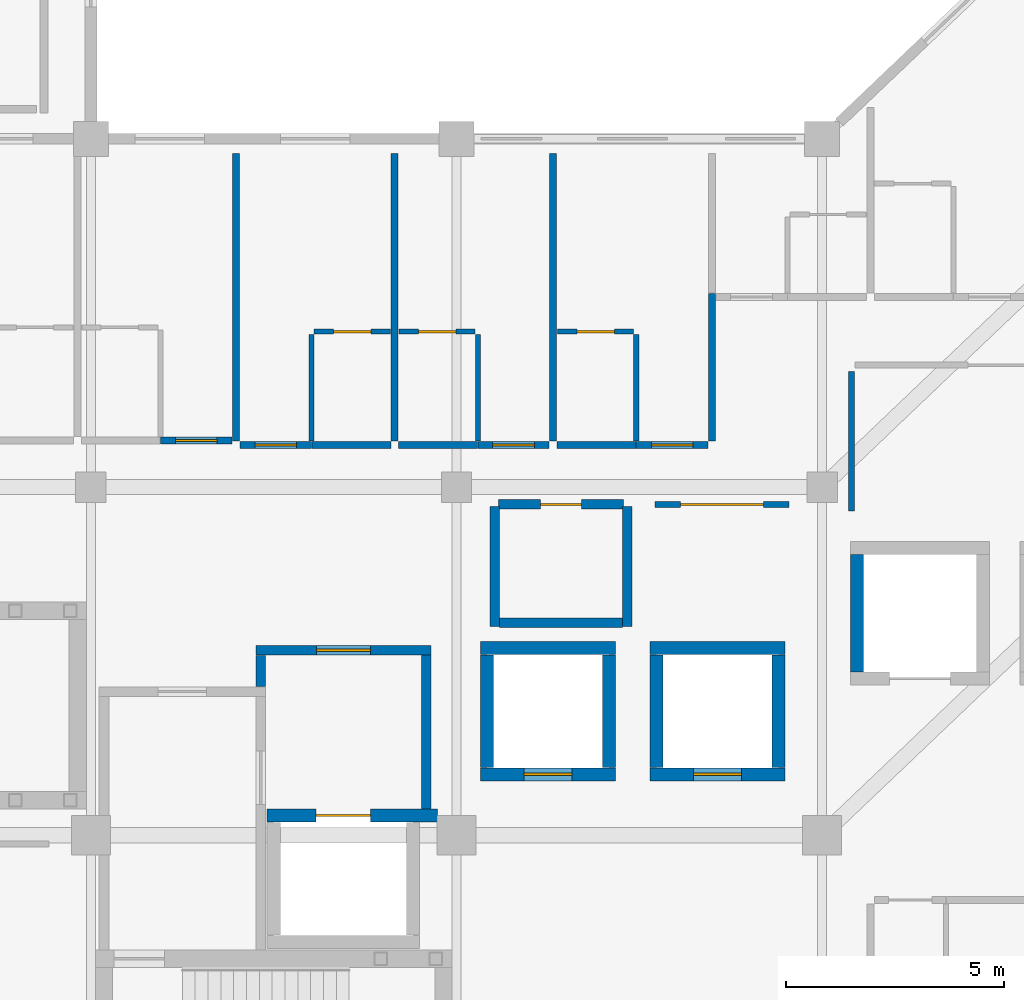
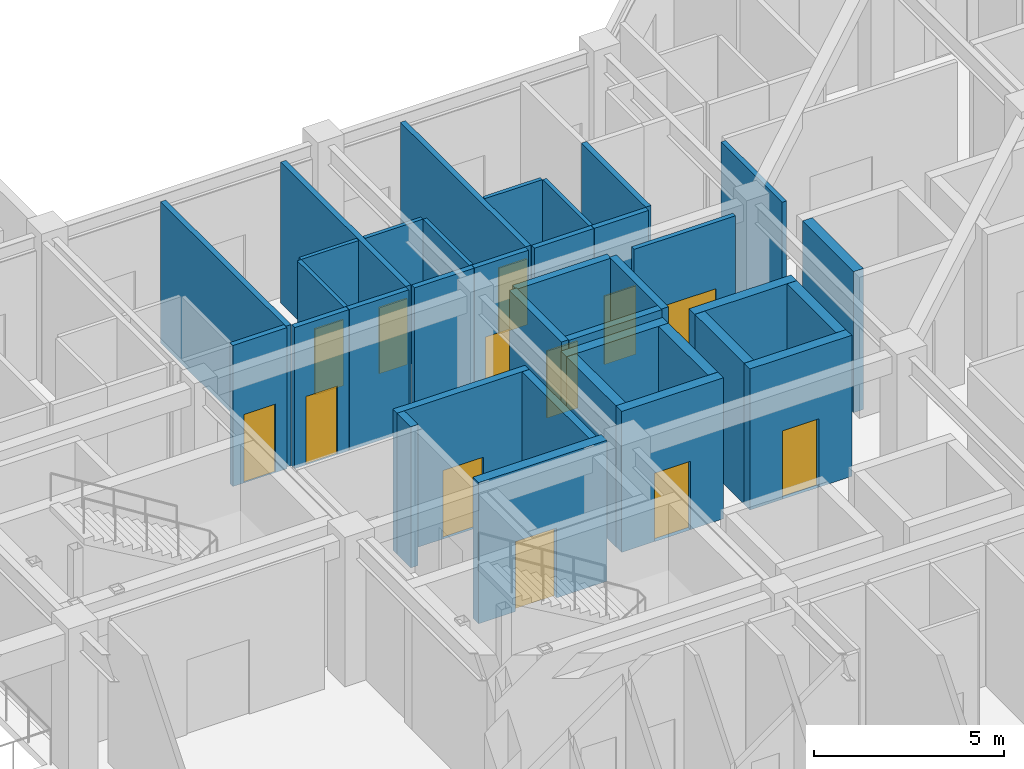
# One storey, part 60 of 76: 36 walls, 13 doors, 13 openings.
"""IFC4 building model written with IfcOpenShell, lengths in metres."""

from ifc_helpers import new_model, si_unit, direction, frame, frame_2d, origin, place, context, subcontext, project, spatial, rectangle, extrude, material, layer, layer_set, type_object, element, fill, save


model = new_model("IFC4")

# Units and contexts
model_context = context("Model", 3, precision=1e-05, world=origin(), true_north=direction((0.0, 1.0)))
body_context = subcontext(model_context, "Body", "Model", "MODEL_VIEW")
ifc_project = project(units=[si_unit("LENGTHUNIT", "METRE"), si_unit("AREAUNIT", "SQUARE_METRE"), si_unit("VOLUMEUNIT", "CUBIC_METRE"), si_unit("PLANEANGLEUNIT", "RADIAN"), si_unit("MASSUNIT", "GRAM", prefix="KILO")], contexts=[model_context])

# Site, building, storey
site_placement = place(None, origin())
site = spatial("IfcSite", under=ifc_project, at=site_placement, CompositionType="ELEMENT")
building_placement = place(site_placement, origin())
building = spatial("IfcBuilding", under=site, at=building_placement, Name="Naruveol Harbour Congress Hotel", CompositionType="ELEMENT")
storey_placement = place(building_placement, frame((0.0, 0.0, 11.39990234375)))
storey = spatial("IfcBuildingStorey", under=building, at=storey_placement, Name="L02", CompositionType="ELEMENT", Elevation=11.39990234375)

# Wall, opening, door
ifc_material_1 = material(Name="Acoustic Double Stud Gypsum", Category="gypsum")
ifc_layer_1 = layer(ifc_material_1, 0.139892578125)
ifc_layer_set_1 = layer_set([ifc_layer_1], Name="Acoustic Double Stud Gypsum")
wall_type_1 = type_object("IfcWallType", Name="ACOUSTIC MEETING PARTITION WALL 140", PredefinedType="PARTITIONING", material=ifc_layer_set_1)
wall_1_placement = place(storey_placement, frame((138.9599609375, 23.60009765625, 0.0), z_axis=(0.0, 0.0, 1.0), x_axis=(1.0, 0.0, 0.0)))
wall_1 = element("IfcWall", 1, at=wall_1_placement, inside=storey, type_object=wall_type_1, Name="Garden Terrace Lounge north entry wall PW-140", PredefinedType="PARTITIONING", context=body_context, shape_type="SweptSolid", body=[
    extrude(rectangle(XDim=3.080078125, YDim=0.139892578125, at=frame_2d((1.5400390625, 0.0))), origin(), (0.0, 0.0, 1.0), 4.53515625),
])
opening_1_placement = place(wall_1_placement, frame((0.590087890625, 0.0, 0.0)))
opening_1 = element("IfcOpeningElement", 2, at=opening_1_placement, cuts=wall_1, Name="Opening ID-LG-77", PredefinedType="OPENING", context=body_context, shape_type="SweptSolid", body=[
    extrude(rectangle(XDim=1.89990234375, YDim=2.39990234375, at=frame_2d((0.949951171875, 1.199951171875))), frame((0.0, 0.079833984375, 0.0), z_axis=(0.0, -1.0, 0.0), x_axis=(1.0, 0.0, 0.0)), (0.0, 0.0, 1.0), 0.159912109375),
])
ifc_material_2 = material(Name="Timber & Steel Acoustic Leaf", Category="steel")
door_type_1 = type_object("IfcDoorType", Name="RESTAURANT AND LOUNGE GLAZED DOOR 1900X2400", OperationType="DOUBLE_DOOR_SINGLE_SWING", PredefinedType="DOOR", material=ifc_material_2)
door_1_placement = place(opening_1_placement, origin())
door_1 = element("IfcDoor", 3, at=door_1_placement, inside=storey, type_object=door_type_1, Name="Garden Terrace Lounge Entrance Door", OperationType="DOUBLE_DOOR_SINGLE_SWING", OverallHeight=2.39990234375, OverallWidth=1.89990234375, PredefinedType="DOOR", context=body_context, shape_type="SweptSolid", body=[
    extrude(rectangle(XDim=1.89990234375, YDim=2.39990234375, at=frame_2d((0.949951171875, 1.199951171875))), frame((0.0, 0.02490234375, 0.0), z_axis=(0.0, -1.0, 0.0), x_axis=(1.0, 0.0, 0.0)), (0.0, 0.0, 1.0), 0.050048828125),
])
fill(opening_1, door_1)

# Walls
wall_2_placement = place(storey_placement, frame((143.47998046875, 23.449951171875, 0.0), z_axis=(0.0, 0.0, 1.0), x_axis=(0.0, 1.0, 0.0)))
element("IfcWall", 4, at=wall_2_placement, inside=storey, type_object=wall_type_1, Name="Harbour Study Salon west partition PW-140", PredefinedType="PARTITIONING", context=body_context, shape_type="SweptSolid", body=[
    extrude(rectangle(XDim=3.2099609375, YDim=0.139892578125, at=frame_2d((1.60498046875, 0.0))), origin(), (0.0, 0.0, 1.0), 4.53515625),
])
ifc_material_3 = material(Name="Moisture-Resistant Gypsum Partition", Category="gypsum")
ifc_layer_2 = layer(ifc_material_3, 0.114990234375)
ifc_layer_set_2 = layer_set([ifc_layer_2], Name="Moisture-Resistant Gypsum Partition")
wall_type_2 = type_object("IfcWallType", Name="BATHROOM MOISTURE PARTITION WALL 115", PredefinedType="PARTITIONING", material=ifc_layer_set_2)
wall_3_placement = place(storey_placement, frame((131.070068359375, 25.06005859375, 0.0), z_axis=(0.0, 0.0, 1.0), x_axis=(0.0, 1.0, 0.0)))
element("IfcWall", 5, at=wall_3_placement, inside=storey, type_object=wall_type_2, Name="Bathroom west wall 0322 PW-115", PredefinedType="PARTITIONING", context=body_context, shape_type="SweptSolid", body=[
    extrude(rectangle(XDim=2.449951171875, YDim=0.114990234375, at=frame_2d((1.22509765625, 0.0))), origin(), (0.0, 0.0, 1.0), 4.53515625),
])

# Wall, opening, door
wall_4_placement = place(storey_placement, frame((131.1298828125, 27.570068359375, 0.0), z_axis=(0.0, 0.0, 1.0), x_axis=(1.0, 0.0, 0.0)))
wall_4 = element("IfcWall", 6, at=wall_4_placement, inside=storey, type_object=wall_type_2, Name="Bathroom north wall 0322 PW-115", PredefinedType="PARTITIONING", context=body_context, shape_type="SweptSolid", body=[
    extrude(rectangle(XDim=1.75, YDim=0.114990234375, at=frame_2d((0.875, 0.0))), origin(), (0.0, 0.0, 1.0), 4.53515625),
])
opening_2_placement = place(wall_4_placement, frame((0.445068359375, 0.0, 0.0)))
opening_2 = element("IfcOpeningElement", 7, at=opening_2_placement, cuts=wall_4, Name="Opening BD-RM0322", PredefinedType="OPENING", context=body_context, shape_type="SweptSolid", body=[
    extrude(rectangle(XDim=0.860107421875, YDim=2.1201171875, at=frame_2d((0.43017578125, 1.06005859375))), frame((0.0, 0.0673828125, 0.0), z_axis=(0.0, -1.0, 0.0), x_axis=(1.0, 0.0, 0.0)), (0.0, 0.0, 1.0), 0.135009765625),
])
ifc_material_4 = material(Name="Timber & Steel Acoustic Leaf", Category="steel")
door_type_2 = type_object("IfcDoorType", Name="GUEST BATHROOM DOOR 860X2120", OperationType="NOTDEFINED", PredefinedType="DOOR", material=ifc_material_4)
door_2_placement = place(opening_2_placement, origin())
door_2 = element("IfcDoor", 8, at=door_2_placement, inside=storey, type_object=door_type_2, Name="Bathroom Door 0322", OperationType="SINGLE_SWING_RIGHT", OverallHeight=2.1201171875, OverallWidth=0.860107421875, PredefinedType="DOOR", context=body_context, shape_type="SweptSolid", body=[
    extrude(rectangle(XDim=0.860107421875, YDim=2.1201171875, at=frame_2d((0.43017578125, 1.06005859375))), frame((0.0, 0.02490234375, 0.0), z_axis=(0.0, -1.0, 0.0), x_axis=(1.0, 0.0, 0.0)), (0.0, 0.0, 1.0), 0.050048828125),
])
fill(opening_2, door_2)

# Wall
wall_5_placement = place(storey_placement, frame((134.889892578125, 25.06005859375, 0.0), z_axis=(0.0, 0.0, 1.0), x_axis=(0.0, 1.0, 0.0)))
element("IfcWall", 9, at=wall_5_placement, inside=storey, type_object=wall_type_2, Name="Bathroom east wall 0323 PW-115", PredefinedType="PARTITIONING", context=body_context, shape_type="SweptSolid", body=[
    extrude(rectangle(XDim=2.449951171875, YDim=0.114990234375, at=frame_2d((1.22509765625, 0.0))), origin(), (0.0, 0.0, 1.0), 4.53515625),
])

# Wall, opening, door
wall_6_placement = place(storey_placement, frame((133.080078125, 27.570068359375, 0.0), z_axis=(0.0, 0.0, 1.0), x_axis=(1.0, 0.0, 0.0)))
wall_6 = element("IfcWall", 10, at=wall_6_placement, inside=storey, type_object=wall_type_2, Name="Bathroom north wall 0323 PW-115", PredefinedType="PARTITIONING", context=body_context, shape_type="SweptSolid", body=[
    extrude(rectangle(XDim=1.75, YDim=0.114990234375, at=frame_2d((0.875, 0.0))), origin(), (0.0, 0.0, 1.0), 4.53515625),
])
opening_3_placement = place(wall_6_placement, frame((0.445068359375, 0.0, 0.0)))
opening_3 = element("IfcOpeningElement", 11, at=opening_3_placement, cuts=wall_6, Name="Opening BD-RM0323", PredefinedType="OPENING", context=body_context, shape_type="SweptSolid", body=[
    extrude(rectangle(XDim=0.860107421875, YDim=2.1201171875, at=frame_2d((0.43017578125, 1.06005859375))), frame((0.0, 0.0673828125, 0.0), z_axis=(0.0, -1.0, 0.0), x_axis=(1.0, 0.0, 0.0)), (0.0, 0.0, 1.0), 0.135009765625),
])
door_3_placement = place(opening_3_placement, origin())
door_3 = element("IfcDoor", 12, at=door_3_placement, inside=storey, type_object=door_type_2, Name="Bathroom Door 0323", OperationType="SINGLE_SWING_RIGHT", OverallHeight=2.1201171875, OverallWidth=0.860107421875, PredefinedType="DOOR", context=body_context, shape_type="SweptSolid", body=[
    extrude(rectangle(XDim=0.860107421875, YDim=2.1201171875, at=frame_2d((0.43017578125, 1.06005859375))), frame((0.0, 0.02490234375, 0.0), z_axis=(0.0, -1.0, 0.0), x_axis=(1.0, 0.0, 0.0)), (0.0, 0.0, 1.0), 0.050048828125),
])
fill(opening_3, door_3)

# Wall
wall_7_placement = place(storey_placement, frame((138.530029296875, 25.06005859375, 0.0), z_axis=(0.0, 0.0, 1.0), x_axis=(0.0, 1.0, 0.0)))
element("IfcWall", 13, at=wall_7_placement, inside=storey, type_object=wall_type_2, Name="Bathroom east wall 0324 PW-115", PredefinedType="PARTITIONING", context=body_context, shape_type="SweptSolid", body=[
    extrude(rectangle(XDim=2.449951171875, YDim=0.114990234375, at=frame_2d((1.22509765625, 0.0))), origin(), (0.0, 0.0, 1.0), 4.53515625),
])

# Wall, opening, door
wall_8_placement = place(storey_placement, frame((136.719970703125, 27.570068359375, 0.0), z_axis=(0.0, 0.0, 1.0), x_axis=(1.0, 0.0, 0.0)))
wall_8 = element("IfcWall", 14, at=wall_8_placement, inside=storey, type_object=wall_type_2, Name="Bathroom north wall 0324 PW-115", PredefinedType="PARTITIONING", context=body_context, shape_type="SweptSolid", body=[
    extrude(rectangle(XDim=1.75, YDim=0.114990234375, at=frame_2d((0.875, 0.0))), origin(), (0.0, 0.0, 1.0), 4.53515625),
])
opening_4_placement = place(wall_8_placement, frame((0.445068359375, 0.0, 0.0)))
opening_4 = element("IfcOpeningElement", 15, at=opening_4_placement, cuts=wall_8, Name="Opening BD-RM0324", PredefinedType="OPENING", context=body_context, shape_type="SweptSolid", body=[
    extrude(rectangle(XDim=0.860107421875, YDim=2.1201171875, at=frame_2d((0.43017578125, 1.06005859375))), frame((0.0, 0.0673828125, 0.0), z_axis=(0.0, -1.0, 0.0), x_axis=(1.0, 0.0, 0.0)), (0.0, 0.0, 1.0), 0.135009765625),
])
door_4_placement = place(opening_4_placement, origin())
door_4 = element("IfcDoor", 16, at=door_4_placement, inside=storey, type_object=door_type_2, Name="Bathroom Door 0324", OperationType="SINGLE_SWING_RIGHT", OverallHeight=2.1201171875, OverallWidth=0.860107421875, PredefinedType="DOOR", context=body_context, shape_type="SweptSolid", body=[
    extrude(rectangle(XDim=0.860107421875, YDim=2.1201171875, at=frame_2d((0.43017578125, 1.06005859375))), frame((0.0, 0.02490234375, 0.0), z_axis=(0.0, -1.0, 0.0), x_axis=(1.0, 0.0, 0.0)), (0.0, 0.0, 1.0), 0.050048828125),
])
fill(opening_4, door_4)

# Walls
ifc_material_5 = material(Name="Concrete C40/50", Category="concrete")
ifc_layer_3 = layer(ifc_material_5, 0.219970703125)
ifc_layer_set_3 = layer_set([ifc_layer_3], Name="Concrete C40/50")
wall_type_3 = type_object("IfcWallType", Name="FIRE COMPARTMENT AND LOBBY WALL 220 EI120", PredefinedType="PARTITIONING", material=ifc_layer_set_3)
wall_9_placement = place(storey_placement, frame((129.89990234375, 19.4150390625, 0.0), z_axis=(0.0, 0.0, 1.0), x_axis=(0.0, 1.0, 0.0)))
element("IfcWall", 17, at=wall_9_placement, inside=storey, type_object=wall_type_3, Name="Firefighting lift lobby ST1 upper west wall FW-220", PredefinedType="PARTITIONING", context=body_context, shape_type="SweptSolid", body=[
    extrude(rectangle(XDim=0.719970703125, YDim=0.219970703125, at=frame_2d((0.35986328125, 0.0))), origin(), (0.0, 0.0, 1.0), 4.53515625),
])
wall_10_placement = place(storey_placement, frame((133.699951171875, 16.60498046875, 0.0), z_axis=(0.0, 0.0, 1.0), x_axis=(0.0, 1.0, 0.0)))
element("IfcWall", 18, at=wall_10_placement, inside=storey, type_object=wall_type_3, Name="Firefighting lift lobby ST1 east wall FW-220", PredefinedType="PARTITIONING", context=body_context, shape_type="SweptSolid", body=[
    extrude(rectangle(XDim=3.530029296875, YDim=0.219970703125, at=frame_2d((1.76513671875, 0.0))), origin(), (0.0, 0.0, 1.0), 4.53515625),
])

# Wall, opening, door
wall_11_placement = place(storey_placement, frame((129.7900390625, 20.25, 0.0), z_axis=(0.0, 0.0, 1.0), x_axis=(1.0, 0.0, 0.0)))
wall_11 = element("IfcWall", 19, at=wall_11_placement, inside=storey, type_object=wall_type_3, Name="Firefighting lift lobby ST1 north wall FW-220", PredefinedType="PARTITIONING", context=body_context, shape_type="SweptSolid", body=[
    extrude(rectangle(XDim=4.02001953125, YDim=0.219970703125, at=frame_2d((2.010009765625, 0.0))), origin(), (0.0, 0.0, 1.0), 4.53515625),
])
opening_5_placement = place(wall_11_placement, frame((1.389892578125, 0.0, 0.0)))
opening_5 = element("IfcOpeningElement", 20, at=opening_5_placement, cuts=wall_11, Name="Opening FD-FFC-ST1-L02", PredefinedType="OPENING", context=body_context, shape_type="SweptSolid", body=[
    extrude(rectangle(XDim=1.239990234375, YDim=2.199951171875, at=frame_2d((0.6201171875, 1.10009765625))), frame((0.0, 0.119873046875, 0.0), z_axis=(0.0, -1.0, 0.0), x_axis=(1.0, 0.0, 0.0)), (0.0, 0.0, 1.0), 0.239990234375),
])
ifc_material_6 = material(Name="Timber & Steel Acoustic Leaf", Category="steel")
door_type_3 = type_object("IfcDoorType", Name="FIREFIGHTING LOBBY FIRE DOOR 1240X2200", OperationType="NOTDEFINED", PredefinedType="DOOR", material=ifc_material_6)
door_5_placement = place(opening_5_placement, origin())
door_5 = element("IfcDoor", 21, at=door_5_placement, inside=storey, type_object=door_type_3, Name="Firefighting Lobby Corridor Door ST1 L02", OperationType="SINGLE_SWING_LEFT", OverallHeight=2.199951171875, OverallWidth=1.239990234375, PredefinedType="DOOR", context=body_context, shape_type="SweptSolid", body=[
    extrude(rectangle(XDim=1.239990234375, YDim=2.199951171875, at=frame_2d((0.6201171875, 1.10009765625))), frame((0.0, 0.02490234375, 0.0), z_axis=(0.0, -1.0, 0.0), x_axis=(1.0, 0.0, 0.0)), (0.0, 0.0, 1.0), 0.050048828125),
])
fill(opening_5, door_5)

wall_12_placement = place(storey_placement, frame((135.360107421875, 23.60009765625, 0.0), z_axis=(0.0, 0.0, 1.0), x_axis=(1.0, 0.0, 0.0)))
wall_12 = element("IfcWall", 22, at=wall_12_placement, inside=storey, type_object=wall_type_3, Name="Housekeeping Pantry north entry wall FW-220", PredefinedType="PARTITIONING", context=body_context, shape_type="SweptSolid", body=[
    extrude(rectangle(XDim=2.8798828125, YDim=0.219970703125, at=frame_2d((1.43994140625, 0.0))), origin(), (0.0, 0.0, 1.0), 4.53515625),
])
opening_6_placement = place(wall_12_placement, frame((0.969970703125, 0.0, 0.0)))
opening_6 = element("IfcOpeningElement", 23, at=opening_6_placement, cuts=wall_12, Name="Opening FD-ST-79", PredefinedType="OPENING", context=body_context, shape_type="SweptSolid", body=[
    extrude(rectangle(XDim=0.93994140625, YDim=2.14990234375, at=frame_2d((0.469970703125, 1.074951171875))), frame((0.0, 0.119873046875, 0.0), z_axis=(0.0, -1.0, 0.0), x_axis=(1.0, 0.0, 0.0)), (0.0, 0.0, 1.0), 0.239990234375),
])
ifc_material_7 = material(Name="Timber & Steel Acoustic Leaf", Category="steel")
door_type_4 = type_object("IfcDoorType", Name="HOUSEKEEPING AND STORE FIRE DOOR 940X2150", OperationType="NOTDEFINED", PredefinedType="DOOR", material=ifc_material_7)
door_6_placement = place(opening_6_placement, origin())
door_6 = element("IfcDoor", 24, at=door_6_placement, inside=storey, type_object=door_type_4, Name="Housekeeping Pantry Fire Door", OperationType="SINGLE_SWING_RIGHT", OverallHeight=2.14990234375, OverallWidth=0.93994140625, PredefinedType="DOOR", context=body_context, shape_type="SweptSolid", body=[
    extrude(rectangle(XDim=0.93994140625, YDim=2.14990234375, at=frame_2d((0.469970703125, 1.074951171875))), frame((0.0, 0.02490234375, 0.0), z_axis=(0.0, -1.0, 0.0), x_axis=(1.0, 0.0, 0.0)), (0.0, 0.0, 1.0), 0.050048828125),
])
fill(opening_6, door_6)

# Walls
for number, where, z_axis, x_axis, name in (
    (25, (135.280029296875, 20.800048828125, 0.0), (0.0, 0.0, 1.0), (0.0, 1.0, 0.0), "Housekeeping Pantry west enclosure partition FW-220"),
    (26, (138.320068359375, 20.800048828125, 0.0), (0.0, 0.0, 1.0), (0.0, 1.0, 0.0), "Housekeeping Pantry east enclosure partition FW-220"),
):
    element("IfcWall", number, at=place(storey_placement, frame(where, z_axis=z_axis, x_axis=x_axis)), inside=storey, type_object=wall_type_3, Name=name, PredefinedType="PARTITIONING", context=body_context, shape_type="SweptSolid", body=[
        extrude(rectangle(XDim=2.748046875, YDim=0.219970703125, at=frame_2d((1.3740234375, 0.0))), origin(), (0.0, 0.0, 1.0), 4.53515625),
    ])
wall_13_placement = place(storey_placement, frame((135.389892578125, 20.8798828125, 0.0), z_axis=(0.0, 0.0, 1.0), x_axis=(1.0, 0.0, 0.0)))
element("IfcWall", 27, at=wall_13_placement, inside=storey, type_object=wall_type_3, Name="Housekeeping Pantry south enclosure partition FW-220", PredefinedType="PARTITIONING", context=body_context, shape_type="SweptSolid", body=[
    extrude(rectangle(XDim=2.820068359375, YDim=0.219970703125, at=frame_2d((1.41015625, 0.0))), origin(), (0.0, 0.0, 1.0), 4.53515625),
])

# Wall, opening, door
ifc_material_8 = material(Name="Autoclaved Aerated Concrete Block", Category="concrete")
ifc_layer_4 = layer(ifc_material_8, 0.159912109375)
ifc_layer_set_4 = layer_set([ifc_layer_4], Name="Autoclaved Aerated Concrete Block")
wall_type_4 = type_object("IfcWallType", Name="HOTEL PARTY AND CORRIDOR WALL 160 EI60", PredefinedType="PARTITIONING", material=ifc_layer_set_4)
wall_14_placement = place(storey_placement, frame((127.60009765625, 25.070068359375, 0.0), z_axis=(0.0, 0.0, 1.0), x_axis=(1.0, 0.0, 0.0)))
wall_14 = element("IfcWall", 28, at=wall_14_placement, inside=storey, type_object=wall_type_4, Name="Corridor entry wall 0321 PW-160", PredefinedType="PARTITIONING", context=body_context, shape_type="SweptSolid", body=[
    extrude(rectangle(XDim=1.639892578125, YDim=0.159912109375, at=frame_2d((0.81982421875, 0.0))), origin(), (0.0, 0.0, 1.0), 4.53515625),
])
opening_7_placement = place(wall_14_placement, frame((0.340087890625, 0.0, 0.0)))
opening_7 = element("IfcOpeningElement", 29, at=opening_7_placement, cuts=wall_14, Name="Opening FD-RM0321", PredefinedType="OPENING", context=body_context, shape_type="SweptSolid", body=[
    extrude(rectangle(XDim=0.9599609375, YDim=2.199951171875, at=frame_2d((0.47998046875, 1.10009765625))), frame((0.0, 0.08984375, 0.0), z_axis=(0.0, -1.0, 0.0), x_axis=(1.0, 0.0, 0.0)), (0.0, 0.0, 1.0), 0.179931640625),
])
ifc_material_9 = material(Name="Timber & Steel Acoustic Leaf", Category="steel")
door_type_5 = type_object("IfcDoorType", Name="GUEST ROOM ENTRANCE FIRE DOOR 960X2200", OperationType="NOTDEFINED", PredefinedType="DOOR", material=ifc_material_9)
door_7_placement = place(opening_7_placement, origin())
door_7 = element("IfcDoor", 30, at=door_7_placement, inside=storey, type_object=door_type_5, Name="Hotel Room Door 0321", OperationType="SINGLE_SWING_LEFT", OverallHeight=2.199951171875, OverallWidth=0.9599609375, PredefinedType="DOOR", context=body_context, shape_type="SweptSolid", body=[
    extrude(rectangle(XDim=0.9599609375, YDim=2.199951171875, at=frame_2d((0.47998046875, 1.10009765625))), frame((0.0, 0.02490234375, 0.0), z_axis=(0.0, -1.0, 0.0), x_axis=(1.0, 0.0, 0.0)), (0.0, 0.0, 1.0), 0.050048828125),
])
fill(opening_7, door_7)

wall_15_placement = place(storey_placement, frame((129.419921875, 24.969970703125, 0.0), z_axis=(0.0, 0.0, 1.0), x_axis=(1.0, 0.0, 0.0)))
wall_15 = element("IfcWall", 31, at=wall_15_placement, inside=storey, type_object=wall_type_4, Name="Corridor entry wall 0322 PW-160", PredefinedType="PARTITIONING", context=body_context, shape_type="SweptSolid", body=[
    extrude(rectangle(XDim=1.650146484375, YDim=0.159912109375, at=frame_2d((0.8251953125, 0.0))), origin(), (0.0, 0.0, 1.0), 4.53515625),
])
opening_8_placement = place(wall_15_placement, frame((0.344970703125, 0.0, 0.0)))
opening_8 = element("IfcOpeningElement", 32, at=opening_8_placement, cuts=wall_15, Name="Opening FD-RM0322", PredefinedType="OPENING", context=body_context, shape_type="SweptSolid", body=[
    extrude(rectangle(XDim=0.9599609375, YDim=2.199951171875, at=frame_2d((0.47998046875, 1.10009765625))), frame((0.0, 0.08984375, 0.0), z_axis=(0.0, -1.0, 0.0), x_axis=(1.0, 0.0, 0.0)), (0.0, 0.0, 1.0), 0.179931640625),
])
door_8_placement = place(opening_8_placement, origin())
door_8 = element("IfcDoor", 33, at=door_8_placement, inside=storey, type_object=door_type_5, Name="Hotel Room Door 0322", OperationType="SINGLE_SWING_LEFT", OverallHeight=2.199951171875, OverallWidth=0.9599609375, PredefinedType="DOOR", context=body_context, shape_type="SweptSolid", body=[
    extrude(rectangle(XDim=0.9599609375, YDim=2.199951171875, at=frame_2d((0.47998046875, 1.10009765625))), frame((0.0, 0.02490234375, 0.0), z_axis=(0.0, -1.0, 0.0), x_axis=(1.0, 0.0, 0.0)), (0.0, 0.0, 1.0), 0.050048828125),
])
fill(opening_8, door_8)

# Walls
wall_16_placement = place(storey_placement, frame((131.080078125, 24.969970703125, 0.0), z_axis=(0.0, 0.0, 1.0), x_axis=(1.0, 0.0, 0.0)))
element("IfcWall", 34, at=wall_16_placement, inside=storey, type_object=wall_type_4, Name="Corridor wall 0322B PW-160", PredefinedType="PARTITIONING", context=body_context, shape_type="SweptSolid", body=[
    extrude(rectangle(XDim=1.809814453125, YDim=0.159912109375, at=frame_2d((0.90478515625, 0.0))), origin(), (0.0, 0.0, 1.0), 4.53515625),
])
wall_17_placement = place(storey_placement, frame((129.330078125, 25.06005859375, 0.0), z_axis=(0.0, 0.0, 1.0), x_axis=(0.0, 1.0, 0.0)))
element("IfcWall", 35, at=wall_17_placement, inside=storey, type_object=wall_type_4, Name="Hotel party wall 0322 PW-160", PredefinedType="PARTITIONING", context=body_context, shape_type="SweptSolid", body=[
    extrude(rectangle(XDim=6.599853515625, YDim=0.159912109375, at=frame_2d((3.2998046875, 0.0))), origin(), (0.0, 0.0, 1.0), 4.53515625),
])
wall_18_placement = place(storey_placement, frame((133.070068359375, 24.969970703125, 0.0), z_axis=(0.0, 0.0, 1.0), x_axis=(1.0, 0.0, 0.0)))
element("IfcWall", 36, at=wall_18_placement, inside=storey, type_object=wall_type_4, Name="Corridor wall 0323B PW-160", PredefinedType="PARTITIONING", context=body_context, shape_type="SweptSolid", body=[
    extrude(rectangle(XDim=1.809814453125, YDim=0.159912109375, at=frame_2d((0.90478515625, 0.0))), origin(), (0.0, 0.0, 1.0), 4.53515625),
])

# Wall, opening, door
wall_19_placement = place(storey_placement, frame((134.889892578125, 24.969970703125, 0.0), z_axis=(0.0, 0.0, 1.0), x_axis=(1.0, 0.0, 0.0)))
wall_19 = element("IfcWall", 37, at=wall_19_placement, inside=storey, type_object=wall_type_4, Name="Corridor entry wall 0323 PW-160", PredefinedType="PARTITIONING", context=body_context, shape_type="SweptSolid", body=[
    extrude(rectangle(XDim=1.64013671875, YDim=0.159912109375, at=frame_2d((0.820068359375, 0.0))), origin(), (0.0, 0.0, 1.0), 4.53515625),
])
opening_9_placement = place(wall_19_placement, frame((0.340087890625, 0.0, 0.0)))
opening_9 = element("IfcOpeningElement", 38, at=opening_9_placement, cuts=wall_19, Name="Opening FD-RM0323", PredefinedType="OPENING", context=body_context, shape_type="SweptSolid", body=[
    extrude(rectangle(XDim=0.9599609375, YDim=2.199951171875, at=frame_2d((0.47998046875, 1.10009765625))), frame((0.0, 0.08984375, 0.0), z_axis=(0.0, -1.0, 0.0), x_axis=(1.0, 0.0, 0.0)), (0.0, 0.0, 1.0), 0.179931640625),
])
door_9_placement = place(opening_9_placement, origin())
door_9 = element("IfcDoor", 39, at=door_9_placement, inside=storey, type_object=door_type_5, Name="Hotel Room Door 0323", OperationType="SINGLE_SWING_LEFT", OverallHeight=2.199951171875, OverallWidth=0.9599609375, PredefinedType="DOOR", context=body_context, shape_type="SweptSolid", body=[
    extrude(rectangle(XDim=0.9599609375, YDim=2.199951171875, at=frame_2d((0.47998046875, 1.10009765625))), frame((0.0, 0.02490234375, 0.0), z_axis=(0.0, -1.0, 0.0), x_axis=(1.0, 0.0, 0.0)), (0.0, 0.0, 1.0), 0.050048828125),
])
fill(opening_9, door_9)

# Walls
wall_20_placement = place(storey_placement, frame((132.97998046875, 25.06005859375, 0.0), z_axis=(0.0, 0.0, 1.0), x_axis=(0.0, 1.0, 0.0)))
element("IfcWall", 40, at=wall_20_placement, inside=storey, type_object=wall_type_4, Name="Hotel party wall 0323 PW-160", PredefinedType="PARTITIONING", context=body_context, shape_type="SweptSolid", body=[
    extrude(rectangle(XDim=6.599853515625, YDim=0.159912109375, at=frame_2d((3.2998046875, 0.0))), origin(), (0.0, 0.0, 1.0), 4.53515625),
])
wall_21_placement = place(storey_placement, frame((136.7099609375, 24.969970703125, 0.0), z_axis=(0.0, 0.0, 1.0), x_axis=(1.0, 0.0, 0.0)))
element("IfcWall", 41, at=wall_21_placement, inside=storey, type_object=wall_type_4, Name="Corridor wall 0324B PW-160", PredefinedType="PARTITIONING", context=body_context, shape_type="SweptSolid", body=[
    extrude(rectangle(XDim=1.81005859375, YDim=0.159912109375, at=frame_2d((0.905029296875, 0.0))), origin(), (0.0, 0.0, 1.0), 4.53515625),
])

# Wall, opening, door
wall_22_placement = place(storey_placement, frame((138.530029296875, 24.969970703125, 0.0), z_axis=(0.0, 0.0, 1.0), x_axis=(1.0, 0.0, 0.0)))
wall_22 = element("IfcWall", 42, at=wall_22_placement, inside=storey, type_object=wall_type_4, Name="Corridor entry wall 0324 PW-160", PredefinedType="PARTITIONING", context=body_context, shape_type="SweptSolid", body=[
    extrude(rectangle(XDim=1.64990234375, YDim=0.159912109375, at=frame_2d((0.824951171875, 0.0))), origin(), (0.0, 0.0, 1.0), 4.53515625),
])
opening_10_placement = place(wall_22_placement, frame((0.344970703125, 0.0, 0.0)))
opening_10 = element("IfcOpeningElement", 43, at=opening_10_placement, cuts=wall_22, Name="Opening FD-RM0324", PredefinedType="OPENING", context=body_context, shape_type="SweptSolid", body=[
    extrude(rectangle(XDim=0.9599609375, YDim=2.199951171875, at=frame_2d((0.47998046875, 1.10009765625))), frame((0.0, 0.08984375, 0.0), z_axis=(0.0, -1.0, 0.0), x_axis=(1.0, 0.0, 0.0)), (0.0, 0.0, 1.0), 0.179931640625),
])
door_10_placement = place(opening_10_placement, origin())
door_10 = element("IfcDoor", 44, at=door_10_placement, inside=storey, type_object=door_type_5, Name="Hotel Room Door 0324", OperationType="SINGLE_SWING_LEFT", OverallHeight=2.199951171875, OverallWidth=0.9599609375, PredefinedType="DOOR", context=body_context, shape_type="SweptSolid", body=[
    extrude(rectangle(XDim=0.9599609375, YDim=2.199951171875, at=frame_2d((0.47998046875, 1.10009765625))), frame((0.0, 0.02490234375, 0.0), z_axis=(0.0, -1.0, 0.0), x_axis=(1.0, 0.0, 0.0)), (0.0, 0.0, 1.0), 0.050048828125),
])
fill(opening_10, door_10)

# Walls
wall_23_placement = place(storey_placement, frame((136.6201171875, 25.06005859375, 0.0), z_axis=(0.0, 0.0, 1.0), x_axis=(0.0, 1.0, 0.0)))
element("IfcWall", 45, at=wall_23_placement, inside=storey, type_object=wall_type_4, Name="Hotel party wall 0324 PW-160", PredefinedType="PARTITIONING", context=body_context, shape_type="SweptSolid", body=[
    extrude(rectangle(XDim=6.599853515625, YDim=0.159912109375, at=frame_2d((3.2998046875, 0.0))), origin(), (0.0, 0.0, 1.0), 4.53515625),
])
wall_24_placement = place(storey_placement, frame((140.27001953125, 25.06005859375, 0.0), z_axis=(0.0, 0.0, 1.0), x_axis=(0.0, 1.0, 0.0)))
element("IfcWall", 46, at=wall_24_placement, inside=storey, type_object=wall_type_4, Name="Hotel end party wall 0324 PW-160", PredefinedType="PARTITIONING", context=body_context, shape_type="SweptSolid", body=[
    extrude(rectangle(XDim=3.389892578125, YDim=0.159912109375, at=frame_2d((1.69482421875, 0.0))), origin(), (0.0, 0.0, 1.0), 4.53515625),
])

# Wall, opening, door
ifc_material_10 = material(Name="Concrete C50/60", Category="concrete")
ifc_layer_5 = layer(ifc_material_10, 0.300048828125)
ifc_layer_set_5 = layer_set([ifc_layer_5], Name="Concrete C50/60")
wall_type_5 = type_object("IfcWallType", Name="RC STAIR AND HOISTWAY SHEAR WALL 300 EI120", PredefinedType="SHEAR", material=ifc_layer_set_5)
wall_25_placement = place(storey_placement, frame((134.949951171875, 17.39990234375, 0.0), z_axis=(0.0, 0.0, 1.0), x_axis=(1.0, 0.0, 0.0)))
wall_25 = element("IfcWall", 47, at=wall_25_placement, inside=storey, type_object=wall_type_5, Name="Hoistway south shear wall PL1 SW-300", PredefinedType="SHEAR", context=body_context, shape_type="SweptSolid", body=[
    extrude(rectangle(XDim=3.10009765625, YDim=0.300048828125, at=frame_2d((1.550048828125, 0.0))), origin(), (0.0, 0.0, 1.0), 4.53515625),
])
opening_11_placement = place(wall_25_placement, frame((1.0, 0.0, 0.0)))
opening_11 = element("IfcOpeningElement", 48, at=opening_11_placement, cuts=wall_25, Name="Opening LD-PL1-L02", PredefinedType="OPENING", context=body_context, shape_type="SweptSolid", body=[
    extrude(rectangle(XDim=1.10009765625, YDim=2.199951171875, at=frame_2d((0.550048828125, 1.10009765625))), frame((0.0, 0.159912109375, 0.0), z_axis=(0.0, -1.0, 0.0), x_axis=(1.0, 0.0, 0.0)), (0.0, 0.0, 1.0), 0.320068359375),
])
ifc_material_11 = material(Name="Stainless Steel Lift Door", Category="steel")
door_type_6 = type_object("IfcDoorType", Name="PASSENGER LIFT LANDING DOOR 1100X2200", OperationType="DOUBLE_DOOR_SLIDING", PredefinedType="DOOR", material=ifc_material_11)
door_11_placement = place(opening_11_placement, origin())
door_11 = element("IfcDoor", 49, at=door_11_placement, inside=storey, type_object=door_type_6, Name="Elevator Landing Door PL1 L02", OperationType="DOUBLE_DOOR_SLIDING", OverallHeight=2.199951171875, OverallWidth=1.10009765625, PredefinedType="DOOR", context=body_context, shape_type="SweptSolid", body=[
    extrude(rectangle(XDim=1.10009765625, YDim=2.199951171875, at=frame_2d((0.550048828125, 1.10009765625))), frame((0.0, 0.02490234375, 0.0), z_axis=(0.0, -1.0, 0.0), x_axis=(1.0, 0.0, 0.0)), (0.0, 0.0, 1.0), 0.050048828125),
])
fill(opening_11, door_11)

# Walls
wall_26_placement = place(storey_placement, frame((137.89990234375, 17.554931640625, 0.0), z_axis=(0.0, 0.0, 1.0), x_axis=(0.0, 1.0, 0.0)))
element("IfcWall", 50, at=wall_26_placement, inside=storey, type_object=wall_type_5, Name="Hoistway east shear wall PL1 SW-300", PredefinedType="SHEAR", context=body_context, shape_type="SweptSolid", body=[
    extrude(rectangle(XDim=2.590087890625, YDim=0.300048828125, at=frame_2d((1.294921875, 0.0))), origin(), (0.0, 0.0, 1.0), 4.53515625),
])
wall_27_placement = place(storey_placement, frame((138.050048828125, 20.300048828125, 0.0), z_axis=(0.0, 0.0, 1.0), x_axis=(-1.0, 0.0, 0.0)))
element("IfcWall", 51, at=wall_27_placement, inside=storey, type_object=wall_type_5, Name="Hoistway north shear wall PL1 SW-300", PredefinedType="SHEAR", context=body_context, shape_type="SweptSolid", body=[
    extrude(rectangle(XDim=3.10009765625, YDim=0.300048828125, at=frame_2d((1.550048828125, 0.0))), origin(), (0.0, 0.0, 1.0), 4.53515625),
])
wall_28_placement = place(storey_placement, frame((135.10009765625, 20.14501953125, 0.0), z_axis=(0.0, 0.0, 1.0), x_axis=(0.0, -1.0, 0.0)))
element("IfcWall", 52, at=wall_28_placement, inside=storey, type_object=wall_type_5, Name="Hoistway west shear wall PL1 SW-300", PredefinedType="SHEAR", context=body_context, shape_type="SweptSolid", body=[
    extrude(rectangle(XDim=2.590087890625, YDim=0.300048828125, at=frame_2d((1.294921875, 0.0))), origin(), (0.0, 0.0, 1.0), 4.53515625),
])

# Wall, opening, door
wall_29_placement = place(storey_placement, frame((138.85009765625, 17.39990234375, 0.0), z_axis=(0.0, 0.0, 1.0), x_axis=(1.0, 0.0, 0.0)))
wall_29 = element("IfcWall", 53, at=wall_29_placement, inside=storey, type_object=wall_type_5, Name="Hoistway south shear wall PL2 SW-300", PredefinedType="SHEAR", context=body_context, shape_type="SweptSolid", body=[
    extrude(rectangle(XDim=3.099853515625, YDim=0.300048828125, at=frame_2d((1.5498046875, 0.0))), origin(), (0.0, 0.0, 1.0), 4.53515625),
])
opening_12_placement = place(wall_29_placement, frame((1.0, 0.0, 0.0)))
opening_12 = element("IfcOpeningElement", 54, at=opening_12_placement, cuts=wall_29, Name="Opening LD-PL2-L02", PredefinedType="OPENING", context=body_context, shape_type="SweptSolid", body=[
    extrude(rectangle(XDim=1.10009765625, YDim=2.199951171875, at=frame_2d((0.550048828125, 1.10009765625))), frame((0.0, 0.159912109375, 0.0), z_axis=(0.0, -1.0, 0.0), x_axis=(1.0, 0.0, 0.0)), (0.0, 0.0, 1.0), 0.320068359375),
])
door_12_placement = place(opening_12_placement, origin())
door_12 = element("IfcDoor", 55, at=door_12_placement, inside=storey, type_object=door_type_6, Name="Elevator Landing Door PL2 L02", OperationType="DOUBLE_DOOR_SLIDING", OverallHeight=2.199951171875, OverallWidth=1.10009765625, PredefinedType="DOOR", context=body_context, shape_type="SweptSolid", body=[
    extrude(rectangle(XDim=1.10009765625, YDim=2.199951171875, at=frame_2d((0.550048828125, 1.10009765625))), frame((0.0, 0.02490234375, 0.0), z_axis=(0.0, -1.0, 0.0), x_axis=(1.0, 0.0, 0.0)), (0.0, 0.0, 1.0), 0.050048828125),
])
fill(opening_12, door_12)

# Walls
wall_30_placement = place(storey_placement, frame((141.800048828125, 17.554931640625, 0.0), z_axis=(0.0, 0.0, 1.0), x_axis=(0.0, 1.0, 0.0)))
element("IfcWall", 56, at=wall_30_placement, inside=storey, type_object=wall_type_5, Name="Hoistway east shear wall PL2 SW-300", PredefinedType="SHEAR", context=body_context, shape_type="SweptSolid", body=[
    extrude(rectangle(XDim=2.590087890625, YDim=0.300048828125, at=frame_2d((1.294921875, 0.0))), origin(), (0.0, 0.0, 1.0), 4.53515625),
])
wall_31_placement = place(storey_placement, frame((141.949951171875, 20.300048828125, 0.0), z_axis=(0.0, 0.0, 1.0), x_axis=(-1.0, 0.0, 0.0)))
element("IfcWall", 57, at=wall_31_placement, inside=storey, type_object=wall_type_5, Name="Hoistway north shear wall PL2 SW-300", PredefinedType="SHEAR", context=body_context, shape_type="SweptSolid", body=[
    extrude(rectangle(XDim=3.099853515625, YDim=0.300048828125, at=frame_2d((1.5498046875, 0.0))), origin(), (0.0, 0.0, 1.0), 4.53515625),
])
wall_32_placement = place(storey_placement, frame((139.0, 20.14501953125, 0.0), z_axis=(0.0, 0.0, 1.0), x_axis=(0.0, -1.0, 0.0)))
element("IfcWall", 58, at=wall_32_placement, inside=storey, type_object=wall_type_5, Name="Hoistway west shear wall PL2 SW-300", PredefinedType="SHEAR", context=body_context, shape_type="SweptSolid", body=[
    extrude(rectangle(XDim=2.590087890625, YDim=0.300048828125, at=frame_2d((1.294921875, 0.0))), origin(), (0.0, 0.0, 1.0), 4.53515625),
])

# Wall, opening, door
wall_33_placement = place(storey_placement, frame((133.9599609375, 16.449951171875, 0.0), z_axis=(0.0, 0.0, 1.0), x_axis=(-1.0, 0.0, 0.0)))
wall_33 = element("IfcWall", 59, at=wall_33_placement, inside=storey, type_object=wall_type_5, Name="Hoistway north shear wall FL1 SW-300", PredefinedType="SHEAR", context=body_context, shape_type="SweptSolid", body=[
    extrude(rectangle(XDim=3.909912109375, YDim=0.300048828125, at=frame_2d((1.955078125, 0.0))), origin(), (0.0, 0.0, 1.0), 4.53515625),
])
opening_13_placement = place(wall_33_placement, frame((1.534912109375, 0.0, 0.0)))
opening_13 = element("IfcOpeningElement", 60, at=opening_13_placement, cuts=wall_33, Name="Opening LD-FL1-L02", PredefinedType="OPENING", context=body_context, shape_type="SweptSolid", body=[
    extrude(rectangle(XDim=1.25, YDim=2.25, at=frame_2d((0.625, 1.125))), frame((0.0, 0.159912109375, 0.0), z_axis=(0.0, -1.0, 0.0), x_axis=(1.0, 0.0, 0.0)), (0.0, 0.0, 1.0), 0.320068359375),
])
ifc_material_12 = material(Name="Stainless Steel Lift Door", Category="steel")
door_type_7 = type_object("IfcDoorType", Name="FIREFIGHTING LIFT LANDING DOOR 1250X2250", OperationType="DOUBLE_DOOR_SLIDING", PredefinedType="DOOR", material=ifc_material_12)
door_13_placement = place(opening_13_placement, origin())
door_13 = element("IfcDoor", 61, at=door_13_placement, inside=storey, type_object=door_type_7, Name="Elevator Landing Door FL1 L02", OperationType="DOUBLE_DOOR_SLIDING", OverallHeight=2.25, OverallWidth=1.25, PredefinedType="DOOR", context=body_context, shape_type="SweptSolid", body=[
    extrude(rectangle(XDim=1.25, YDim=2.25, at=frame_2d((0.625, 1.125))), frame((0.0, 0.02490234375, 0.0), z_axis=(0.0, -1.0, 0.0), x_axis=(1.0, 0.0, 0.0)), (0.0, 0.0, 1.0), 0.050048828125),
])
fill(opening_13, door_13)

# Wall
wall_34_placement = place(storey_placement, frame((143.60009765625, 22.445068359375, 0.0), z_axis=(0.0, 0.0, 1.0), x_axis=(0.0, -1.0, 0.0)))
element("IfcWall", 62, at=wall_34_placement, inside=storey, type_object=wall_type_5, Name="Hoistway west shear wall GL1 SW-300", PredefinedType="SHEAR", context=body_context, shape_type="SweptSolid", body=[
    extrude(rectangle(XDim=2.690185546875, YDim=0.300048828125, at=frame_2d((1.34521484375, 0.0))), origin(), (0.0, 0.0, 1.0), 4.53515625),
])

save(model, "model.ifc")
